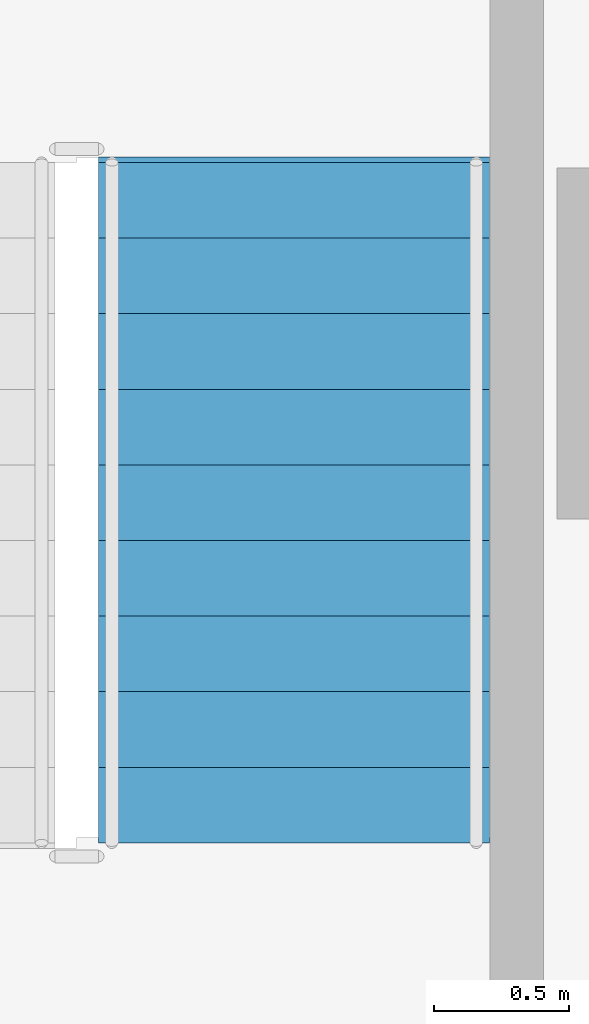
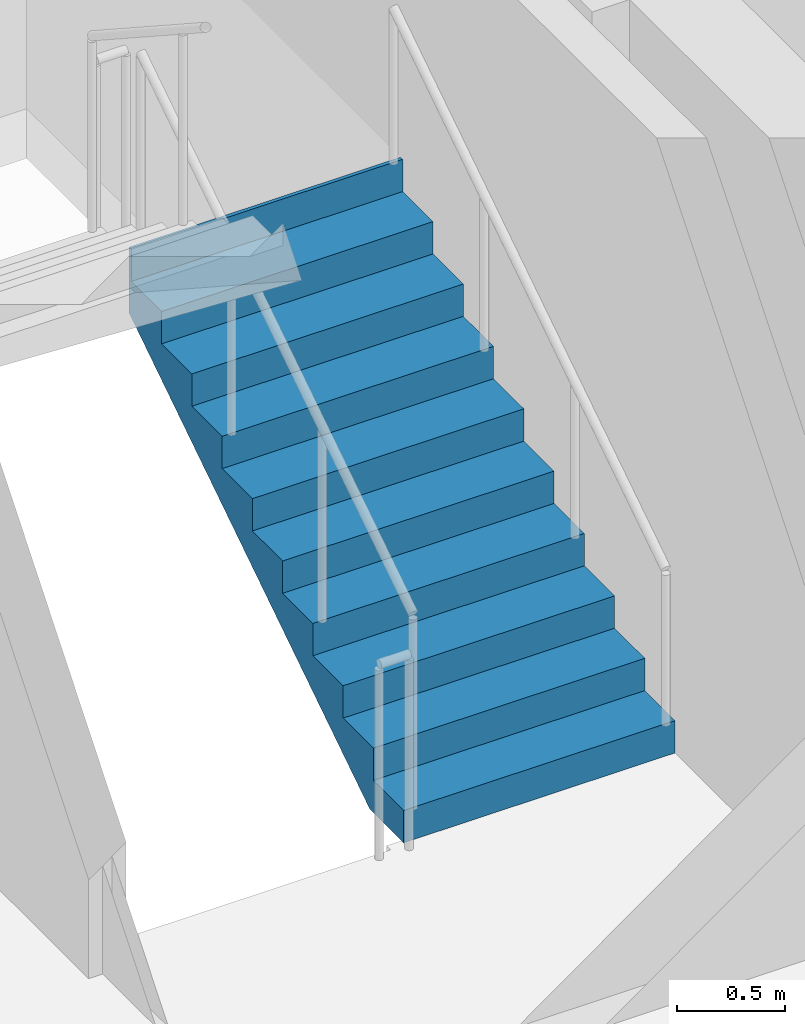
# One storey, part 8 of 12: 1 stair flight, 1 element without a shape of its own.
"""IFC4 building model written with IfcOpenShell, lengths in metres."""

from ifc_helpers import new_model, si_unit, direction, frame, origin, place, context, subcontext, project, spatial, polyline, outline, extrude, material, type_object, element, aggregate, save


model = new_model("IFC4")

# Units and contexts
model_context = context("Model", 3, precision=1e-05, world=origin(), true_north=direction((0.0, 1.0)))
body_context = subcontext(model_context, "Body", "Model", "MODEL_VIEW")
ifc_project = project(units=[si_unit("LENGTHUNIT", "METRE"), si_unit("AREAUNIT", "SQUARE_METRE"), si_unit("VOLUMEUNIT", "CUBIC_METRE"), si_unit("PLANEANGLEUNIT", "RADIAN"), si_unit("MASSUNIT", "GRAM", prefix="KILO")], contexts=[model_context])

# Site, building, storey
site_placement = place(None, origin())
site = spatial("IfcSite", under=ifc_project, at=site_placement, CompositionType="ELEMENT")
building_placement = place(site_placement, origin())
building = spatial("IfcBuilding", under=site, at=building_placement, Name="Nuvemarco Arch Tower", CompositionType="ELEMENT")
storey_placement = place(building_placement, frame((0.0, 0.0, 42.199951171875)))
storey = spatial("IfcBuildingStorey", under=building, at=storey_placement, Name="L10", CompositionType="ELEMENT", Elevation=42.199951171875)

# Stair, stair flight
ifc_material = material(Name="Precast concrete C45/55", Category="concrete")
stair_type = type_object("IfcStairType", Name="ST-CORE-20R", PredefinedType="HALF_TURN_STAIR", material=ifc_material)
stair_placement = place(storey_placement, origin())
stair = element("IfcStair", 1, at=stair_placement, inside=storey, type_object=stair_type, Name="L10 Protected Exit Stair ST-2", PredefinedType="HALF_TURN_STAIR")
stair_flight_type = type_object("IfcStairFlightType", Name="SF-CORE-20R", PredefinedType="STRAIGHT", material=ifc_material)
stair_flight_placement = place(storey_placement, frame((15.875, 2.64990234375, 0.0), z_axis=(0.0, 0.0, 1.0), x_axis=(0.0, 1.0, 0.0)))
stair_flight = element("IfcStairFlight", 2, at=stair_flight_placement, type_object=stair_flight_type, Name="ST-20R flight 1", NumberOfRisers=10, NumberOfTreads=9, PredefinedType="STRAIGHT", RiserHeight=0.1825, TreadLength=0.28, context=body_context, shape_type="SweptSolid", body=[
    extrude(outline(polyline([(0.0, 0.0), (0.0, 0.1826171875), (0.280029296875, 0.1826171875), (0.280029296875, 0.364990234375), (0.56005859375, 0.364990234375), (0.56005859375, 0.547607421875), (0.840087890625, 0.547607421875), (0.840087890625, 0.72998046875), (1.1201171875, 0.72998046875), (1.1201171875, 0.91259765625), (1.39990234375, 0.91259765625), (1.39990234375, 1.094970703125), (1.679931640625, 1.094970703125), (1.679931640625, 1.277587890625), (1.9599609375, 1.277587890625), (1.9599609375, 1.4599609375), (2.239990234375, 1.4599609375), (2.239990234375, 1.642578125), (2.52001953125, 1.642578125), (2.52001953125, 1.824951171875), (2.5400390625, 1.824951171875), (2.5400390625, 1.45166015625), (0.312744140625, 0.0), (0.0, 0.0)])), frame((0.0, 0.72509765625, 0.0), z_axis=(0.0, -1.0, 0.0), x_axis=(1.0, 0.0, 0.0)), (0.0, 0.0, 1.0), 1.449951171875),
])
aggregate(stair, [stair_flight])

save(model, "model.ifc")
